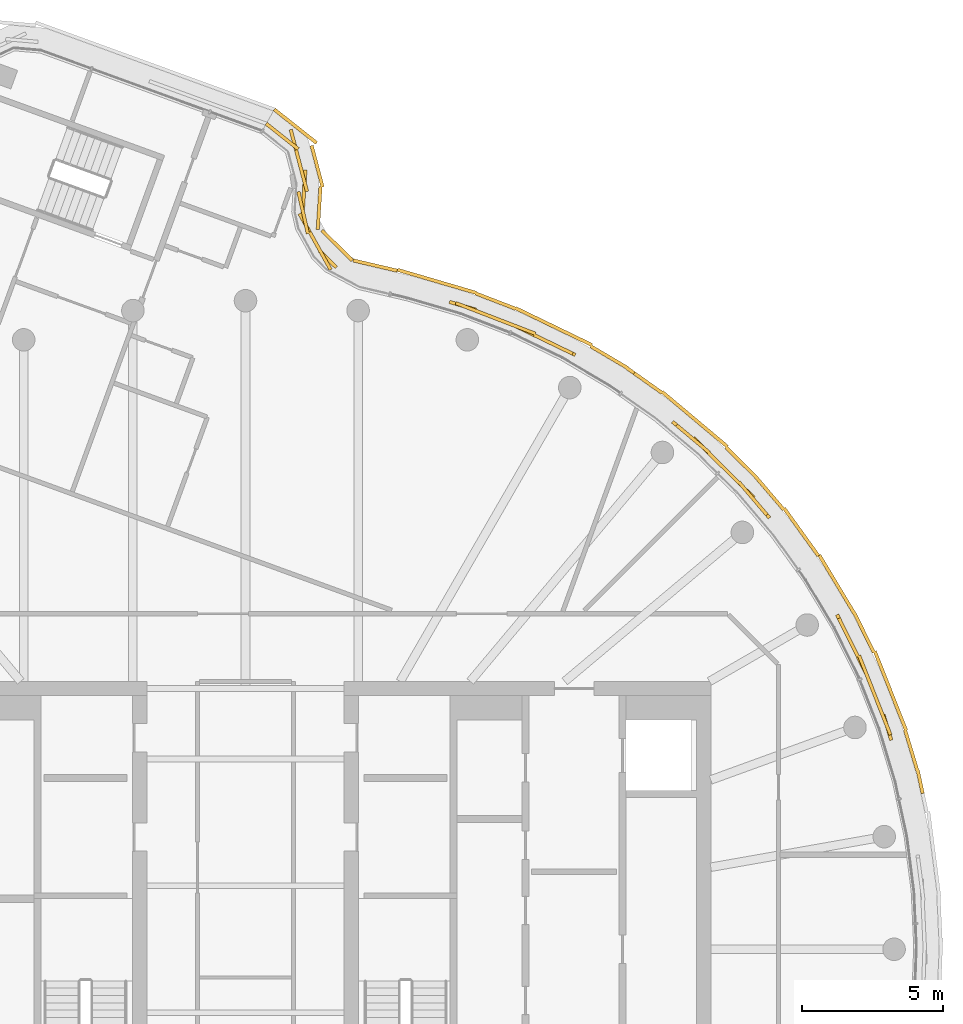
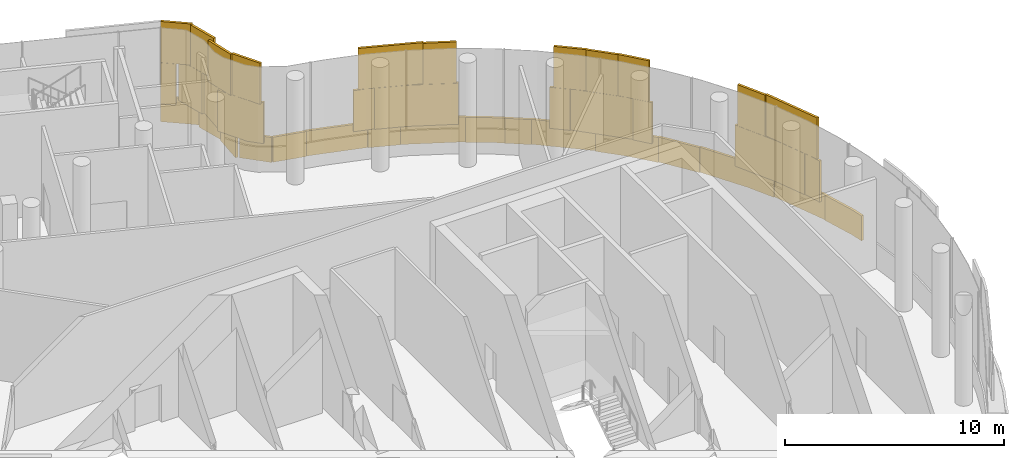
# One storey, part 18 of 18: 4 coverings.
"""IFC4 building model written with IfcOpenShell, lengths in metres."""

from ifc_helpers import new_model, si_unit, direction, frame, origin, origin_2d, place, context, subcontext, project, spatial, rectangle, extrude, material, layer, layer_set, type_object, element, save


model = new_model("IFC4")

# Units and contexts
model_context = context("Model", 3, precision=1e-05, world=origin(), true_north=direction((0.0, 1.0)))
body_context = subcontext(model_context, "Body", "Model", "MODEL_VIEW")
ifc_project = project(units=[si_unit("LENGTHUNIT", "METRE"), si_unit("AREAUNIT", "SQUARE_METRE"), si_unit("VOLUMEUNIT", "CUBIC_METRE"), si_unit("PLANEANGLEUNIT", "RADIAN"), si_unit("MASSUNIT", "GRAM", prefix="KILO")], contexts=[model_context])

# Site, building, storey
site_placement = place(None, origin())
site = spatial("IfcSite", under=ifc_project, at=site_placement, CompositionType="ELEMENT")
building_placement = place(site_placement, origin())
building = spatial("IfcBuilding", under=site, at=building_placement, Name="Tamarind Cross Interchange Tower", CompositionType="ELEMENT")
storey_placement = place(building_placement, frame((0.0, 0.0, 299.39990234375)))
storey = spatial("IfcBuildingStorey", under=building, at=storey_placement, Name="L74", CompositionType="ELEMENT", Elevation=299.39990234375)

# Coverings
ifc_material = material(Name="Terracotta", Category="masonry")
ifc_layer = layer(ifc_material, 0.1201171875)
ifc_layer_set = layer_set([ifc_layer], Name="Terracotta")
covering_type = type_object("IfcCoveringType", Name="Terracotta baguette screen unit", PredefinedType="MOLDING", material=ifc_layer_set)
covering_1_placement = place(storey_placement, origin())
element("IfcCovering", 1, at=covering_1_placement, inside=storey, type_object=covering_type, Name="SCR-L74-02-11", PredefinedType="MOLDING", context=body_context, shape_type="SweptSolid", body=[
    extrude(rectangle(XDim=0.952880859375, YDim=0.1201171875, at=origin_2d()), frame((22.760986328125, 7.87255859375, 1.404052734375), z_axis=(0.0, 0.0, 1.0), x_axis=(-0.289458243079, 0.957190642199, 0.0)), (0.0, 0.0, 1.0), 2.2919921875),
    extrude(rectangle(XDim=1.52001953125, YDim=0.1201171875, at=origin_2d()), frame((22.31591796875, 9.009765625, 1.404052734375), z_axis=(0.0, 0.0, 1.0), x_axis=(-0.367513773146, 0.930018078613, 0.0)), (0.0, 0.0, 1.0), 2.2919921875),
    extrude(rectangle(XDim=1.52001953125, YDim=0.1201171875, at=origin_2d()), frame((21.713134765625, 10.382080078125, 1.404052734375), z_axis=(0.0, 0.0, 1.0), x_axis=(-0.443058811505, 0.896492548518, 0.0)), (0.0, 0.0, 1.0), 2.2919921875),
    extrude(rectangle(XDim=0.90966796875, YDim=0.1201171875, at=origin_2d()), frame((21.181396484375, 11.457763671875, 1.404052734375), z_axis=(0.0, 0.0, 1.0), x_axis=(-0.443058811505, 0.896492548518, 0.0)), (0.0, 0.0, 1.0), 2.2919921875),
    extrude(rectangle(XDim=1.52001953125, YDim=0.1201171875, at=origin_2d()), frame((22.591552734375, 8.312255859375, 3.7041015625), z_axis=(0.0, 0.0, 1.0), x_axis=(-0.367513773146, 0.930018078613, 0.0)), (0.0, 0.0, 1.0), 2.2919921875),
    extrude(rectangle(XDim=1.52001953125, YDim=0.1201171875, at=origin_2d()), frame((22.040283203125, 9.707275390625, 3.7041015625), z_axis=(0.0, 0.0, 1.0), x_axis=(-0.367513773146, 0.930018078613, 0.0)), (0.0, 0.0, 1.0), 2.2919921875),
    extrude(rectangle(XDim=1.52001953125, YDim=0.1201171875, at=origin_2d()), frame((21.380859375, 11.054443359375, 3.7041015625), z_axis=(0.0, 0.0, 1.0), x_axis=(-0.443058811505, 0.896492548518, 0.0)), (0.0, 0.0, 1.0), 2.2919921875),
    extrude(rectangle(XDim=0.831298828125, YDim=0.1201171875, at=origin_2d()), frame((23.927490234375, 5.933349609375, 0.004150390625), z_axis=(0.0, 0.0, 1.0), x_axis=(-0.209425419705, 0.977824623121, 0.0)), (0.0, 0.0, 1.0), 1.39208984375),
    extrude(rectangle(XDim=1.52001953125, YDim=0.1201171875, at=origin_2d()), frame((23.611083984375, 7.044189453125, 0.004150390625), z_axis=(0.0, 0.0, 1.0), x_axis=(-0.289458243079, 0.957190642199, 0.0)), (0.0, 0.0, 1.0), 1.39208984375),
    extrude(rectangle(XDim=1.52001953125, YDim=0.1201171875, at=origin_2d()), frame((23.146728515625, 8.469482421875, 0.004150390625), z_axis=(0.0, 0.0, 1.0), x_axis=(-0.367513773146, 0.930018078613, 0.0)), (0.0, 0.0, 1.0), 1.39208984375),
    extrude(rectangle(XDim=1.52001953125, YDim=0.1201171875, at=origin_2d()), frame((22.595458984375, 9.864501953125, 0.004150390625), z_axis=(0.0, 0.0, 1.0), x_axis=(-0.367513773146, 0.930018078613, 0.0)), (0.0, 0.0, 1.0), 1.39208984375),
    extrude(rectangle(XDim=1.52001953125, YDim=0.1201171875, at=origin_2d()), frame((21.942138671875, 11.21435546875, 0.004150390625), z_axis=(0.0, 0.0, 1.0), x_axis=(-0.443058811505, 0.896492548518, 0.0)), (0.0, 0.0, 1.0), 1.39208984375),
    extrude(rectangle(XDim=1.52001953125, YDim=0.1201171875, at=origin_2d()), frame((21.218505859375, 12.52685546875, 0.004150390625), z_axis=(0.0, 0.0, 1.0), x_axis=(-0.515577308909, 0.856843065292, 0.0)), (0.0, 0.0, 1.0), 1.39208984375),
    extrude(rectangle(XDim=0.947021484375, YDim=0.1201171875, at=origin_2d()), frame((20.5927734375, 13.566650390625, 0.004150390625), z_axis=(0.0, 0.0, 1.0), x_axis=(-0.515577308909, 0.856843065292, 0.0)), (0.0, 0.0, 1.0), 1.39208984375),
])
covering_2_placement = place(storey_placement, origin())
element("IfcCovering", 2, at=covering_2_placement, inside=storey, type_object=covering_type, Name="SCR-L74-02-12", PredefinedType="MOLDING", context=body_context, shape_type="SweptSolid", body=[
    extrude(rectangle(XDim=0.91015625, YDim=0.1201171875, at=origin_2d()), frame((18.287109375, 15.643798828125, 1.404052734375), z_axis=(0.0, 0.0, 1.0), x_axis=(-0.64957723968, 0.760295606781, 0.0)), (0.0, 0.0, 1.0), 2.2919921875),
    extrude(rectangle(XDim=1.52001953125, YDim=0.1201171875, at=origin_2d()), frame((17.494140625, 16.5439453125, 1.404052734375), z_axis=(0.0, 0.0, 1.0), x_axis=(-0.710143317658, 0.704057148523, 0.0)), (0.0, 0.0, 1.0), 2.2919921875),
    extrude(rectangle(XDim=1.52001953125, YDim=0.1201171875, at=origin_2d()), frame((16.428955078125, 17.599853515625, 1.404052734375), z_axis=(0.0, 0.0, 1.0), x_axis=(-0.710143317658, 0.704057148523, 0.0)), (0.0, 0.0, 1.0), 2.2919921875),
    extrude(rectangle(XDim=0.953125, YDim=0.1201171875, at=origin_2d()), frame((15.508544921875, 18.40185546875, 1.404052734375), z_axis=(0.0, 0.0, 1.0), x_axis=(-0.765858396687, 0.643009266048, 0.0)), (0.0, 0.0, 1.0), 2.2919921875),
    extrude(rectangle(XDim=1.52001953125, YDim=0.1201171875, at=origin_2d()), frame((17.99462890625, 15.986083984375, 3.7041015625), z_axis=(0.0, 0.0, 1.0), x_axis=(-0.64957723968, 0.760295606781, 0.0)), (0.0, 0.0, 1.0), 2.2919921875),
    extrude(rectangle(XDim=1.52001953125, YDim=0.1201171875, at=origin_2d()), frame((16.961669921875, 17.07177734375, 3.7041015625), z_axis=(0.0, 0.0, 1.0), x_axis=(-0.710143317658, 0.704057148523, 0.0)), (0.0, 0.0, 1.0), 2.2919921875),
    extrude(rectangle(XDim=1.52001953125, YDim=0.1201171875, at=origin_2d()), frame((15.86962890625, 18.0986328125, 3.7041015625), z_axis=(0.0, 0.0, 1.0), x_axis=(-0.765858396687, 0.643009266048, 0.0)), (0.0, 0.0, 1.0), 2.2919921875),
    extrude(rectangle(XDim=0.572998046875, YDim=0.1201171875, at=origin_2d()), frame((20.1494140625, 14.183837890625, 0.004150390625), z_axis=(0.0, 0.0, 1.0), x_axis=(-0.584573890505, 0.811340475102, 0.0)), (0.0, 0.0, 1.0), 1.39208984375),
    extrude(rectangle(XDim=1.52001953125, YDim=0.1201171875, at=origin_2d()), frame((19.54931640625, 15.0166015625, 0.004150390625), z_axis=(0.0, 0.0, 1.0), x_axis=(-0.584573890505, 0.811340475102, 0.0)), (0.0, 0.0, 1.0), 1.39208984375),
    extrude(rectangle(XDim=1.52001953125, YDim=0.1201171875, at=origin_2d()), frame((18.592041015625, 16.17041015625, 0.004150390625), z_axis=(0.0, 0.0, 1.0), x_axis=(-0.64957723968, 0.760295606781, 0.0)), (0.0, 0.0, 1.0), 1.39208984375),
    extrude(rectangle(XDim=1.52001953125, YDim=0.1201171875, at=origin_2d()), frame((17.575439453125, 17.271728515625, 0.004150390625), z_axis=(0.0, 0.0, 1.0), x_axis=(-0.710143317658, 0.704057148523, 0.0)), (0.0, 0.0, 1.0), 1.39208984375),
    extrude(rectangle(XDim=1.52001953125, YDim=0.1201171875, at=origin_2d()), frame((16.501220703125, 18.31787109375, 0.004150390625), z_axis=(0.0, 0.0, 1.0), x_axis=(-0.765858396687, 0.643009266048, 0.0)), (0.0, 0.0, 1.0), 1.39208984375),
    extrude(rectangle(XDim=1.52001953125, YDim=0.1201171875, at=origin_2d()), frame((15.3525390625, 19.282470703125, 0.004150390625), z_axis=(0.0, 0.0, 1.0), x_axis=(-0.765858396687, 0.643009266048, 0.0)), (0.0, 0.0, 1.0), 1.39208984375),
    extrude(rectangle(XDim=1.2060546875, YDim=0.1201171875, at=origin_2d()), frame((14.275146484375, 20.0830078125, 0.004150390625), z_axis=(0.0, 0.0, 1.0), x_axis=(-0.816341886298, 0.577568978284, 0.0)), (0.0, 0.0, 1.0), 1.39208984375),
])
covering_3_placement = place(storey_placement, origin())
element("IfcCovering", 3, at=covering_3_placement, inside=storey, type_object=covering_type, Name="SCR-L74-02-13", PredefinedType="MOLDING", context=body_context, shape_type="SweptSolid", body=[
    extrude(rectangle(XDim=0.866943359375, YDim=0.1201171875, at=origin_2d()), frame((11.3017578125, 21.266357421875, 1.404052734375), z_axis=(0.0, 0.0, 1.0), x_axis=(-0.900272776334, 0.435326231914, 0.0)), (0.0, 0.0, 1.0), 2.2919921875),
    extrude(rectangle(XDim=1.52001953125, YDim=0.1201171875, at=origin_2d()), frame((10.240966796875, 21.779296875, 1.404052734375), z_axis=(0.0, 0.0, 1.0), x_axis=(-0.900272776334, 0.435326231914, 0.0)), (0.0, 0.0, 1.0), 2.2919921875),
    extrude(rectangle(XDim=1.52001953125, YDim=0.1201171875, at=origin_2d()), frame((8.865234375, 22.374267578125, 1.404052734375), z_axis=(0.0, 0.0, 1.0), x_axis=(-0.933146843667, 0.359495435512, 0.0)), (0.0, 0.0, 1.0), 2.2919921875),
    extrude(rectangle(XDim=0.9892578125, YDim=0.1201171875, at=origin_2d()), frame((7.708251953125, 22.818603515625, 1.404052734375), z_axis=(0.0, 0.0, 1.0), x_axis=(-0.95964657186, 0.281208920763, 0.0)), (0.0, 0.0, 1.0), 2.2919921875),
    extrude(rectangle(XDim=1.52001953125, YDim=0.1201171875, at=origin_2d()), frame((10.916015625, 21.452880859375, 3.7041015625), z_axis=(0.0, 0.0, 1.0), x_axis=(-0.900272776334, 0.435326231914, 0.0)), (0.0, 0.0, 1.0), 2.2919921875),
    extrude(rectangle(XDim=1.52001953125, YDim=0.1201171875, at=origin_2d()), frame((9.565185546875, 22.1044921875, 3.7041015625), z_axis=(0.0, 0.0, 1.0), x_axis=(-0.933146843667, 0.359495435512, 0.0)), (0.0, 0.0, 1.0), 2.2919921875),
    extrude(rectangle(XDim=1.52001953125, YDim=0.1201171875, at=origin_2d()), frame((8.16552734375, 22.643798828125, 3.7041015625), z_axis=(0.0, 0.0, 1.0), x_axis=(-0.933146843667, 0.359495435512, 0.0)), (0.0, 0.0, 1.0), 2.2919921875),
    extrude(rectangle(XDim=0.31396484375, YDim=0.1201171875, at=origin_2d()), frame((13.65478515625, 20.52197265625, 0.004150390625), z_axis=(0.0, 0.0, 1.0), x_axis=(-0.816341886298, 0.577568978284, 0.0)), (0.0, 0.0, 1.0), 1.39208984375),
    extrude(rectangle(XDim=1.52001953125, YDim=0.1201171875, at=origin_2d()), frame((12.896484375, 20.99951171875, 0.004150390625), z_axis=(0.0, 0.0, 1.0), x_axis=(-0.861248933065, 0.508183308752, 0.0)), (0.0, 0.0, 1.0), 1.39208984375),
    extrude(rectangle(XDim=1.52001953125, YDim=0.1201171875, at=origin_2d()), frame((11.602783203125, 21.75830078125, 0.004150390625), z_axis=(0.0, 0.0, 1.0), x_axis=(-0.900272776334, 0.435326231914, 0.0)), (0.0, 0.0, 1.0), 1.39208984375),
    extrude(rectangle(XDim=1.52001953125, YDim=0.1201171875, at=origin_2d()), frame((10.25244140625, 22.411376953125, 0.004150390625), z_axis=(0.0, 0.0, 1.0), x_axis=(-0.900272776334, 0.435326231914, 0.0)), (0.0, 0.0, 1.0), 1.39208984375),
    extrude(rectangle(XDim=1.52001953125, YDim=0.1201171875, at=origin_2d()), frame((8.868896484375, 22.988037109375, 0.004150390625), z_axis=(0.0, 0.0, 1.0), x_axis=(-0.933146843667, 0.359495435512, 0.0)), (0.0, 0.0, 1.0), 1.39208984375),
    extrude(rectangle(XDim=1.52001953125, YDim=0.1201171875, at=origin_2d()), frame((7.45654296875, 23.490478515625, 0.004150390625), z_axis=(0.0, 0.0, 1.0), x_axis=(-0.95964657186, 0.281208920763, 0.0)), (0.0, 0.0, 1.0), 1.39208984375),
    extrude(rectangle(XDim=1.413818359375, YDim=0.1201171875, at=origin_2d()), frame((6.068115234375, 23.8974609375, 0.004150390625), z_axis=(0.0, 0.0, 1.0), x_axis=(-0.95964657186, 0.281208920763, 0.0)), (0.0, 0.0, 1.0), 1.39208984375),
])
covering_4_placement = place(storey_placement, origin())
element("IfcCovering", 4, at=covering_4_placement, inside=storey, type_object=covering_type, Name="SCR-L74-02-14", PredefinedType="MOLDING", context=body_context, shape_type="SweptSolid", body=[
    extrude(rectangle(XDim=0.830810546875, YDim=0.1201171875, at=origin_2d()), frame((2.9287109375, 24.46923828125, 1.404052734375), z_axis=(0.0, 0.0, 1.0), x_axis=(-0.712505411317, 0.70166661517, 0.0)), (0.0, 0.0, 1.0), 2.2919921875),
    extrude(rectangle(XDim=1.52001953125, YDim=0.1201171875, at=origin_2d()), frame((2.284423828125, 25.42236328125, 1.404052734375), z_axis=(0.0, 0.0, 1.0), x_axis=(-0.486026493314, 0.873944075898, 0.0)), (0.0, 0.0, 1.0), 2.2919921875),
    extrude(rectangle(XDim=1.52001953125, YDim=0.1201171875, at=origin_2d()), frame((2.07470703125, 26.872314453125, 1.404052734375), z_axis=(0.0, 0.0, 1.0), x_axis=(0.063470145759, 0.997983737642, 0.0)), (0.0, 0.0, 1.0), 2.2919921875),
    extrude(rectangle(XDim=1.52001953125, YDim=0.1201171875, at=origin_2d()), frame((1.796630859375, 28.3330078125, 1.404052734375), z_axis=(0.0, 0.0, 1.0), x_axis=(-0.254958681359, 0.966951948547, 0.0)), (0.0, 0.0, 1.0), 2.2919921875),
    extrude(rectangle(XDim=0.70361328125, YDim=0.1201171875, at=origin_2d()), frame((1.009033203125, 29.061279296875, 1.404052734375), z_axis=(0.0, 0.0, 1.0), x_axis=(-0.783600709861, 0.621264780513, 0.0)), (0.0, 0.0, 1.0), 2.2919921875),
    extrude(rectangle(XDim=1.52001953125, YDim=0.1201171875, at=origin_2d()), frame((2.64892578125, 24.766845703125, 3.7041015625), z_axis=(0.0, 0.0, 1.0), x_axis=(-0.486026493314, 0.873944075898, 0.0)), (0.0, 0.0, 1.0), 2.2919921875),
    extrude(rectangle(XDim=1.52001953125, YDim=0.1201171875, at=origin_2d()), frame((2.0439453125, 26.125244140625, 3.7041015625), z_axis=(0.0, 0.0, 1.0), x_axis=(-0.220192929351, 0.975456341342, 0.0)), (0.0, 0.0, 1.0), 2.2919921875),
    extrude(rectangle(XDim=1.52001953125, YDim=0.1201171875, at=origin_2d()), frame((1.98779296875, 27.607666015625, 3.7041015625), z_axis=(0.0, 0.0, 1.0), x_axis=(-0.254958681359, 0.966951948547, 0.0)), (0.0, 0.0, 1.0), 2.2919921875),
    extrude(rectangle(XDim=1.45361328125, YDim=0.1201171875, at=origin_2d()), frame((1.302734375, 28.828125, 3.7041015625), z_axis=(0.0, 0.0, 1.0), x_axis=(-0.783600709861, 0.621264780513, 0.0)), (0.0, 0.0, 1.0), 2.2919921875),
    extrude(rectangle(XDim=0.106201171875, YDim=0.1201171875, at=origin_2d()), frame((5.329833984375, 24.07666015625, 0.004150390625), z_axis=(0.0, 0.0, 1.0), x_axis=(-0.973671785319, 0.227954500887, 0.0)), (0.0, 0.0, 1.0), 1.39208984375),
    extrude(rectangle(XDim=1.52001953125, YDim=0.1201171875, at=origin_2d()), frame((4.5576171875, 24.25732421875, 0.004150390625), z_axis=(0.0, 0.0, 1.0), x_axis=(-0.973671785319, 0.227954500887, 0.0)), (0.0, 0.0, 1.0), 1.39208984375),
    extrude(rectangle(XDim=1.52001953125, YDim=0.1201171875, at=origin_2d()), frame((3.24951171875, 24.958984375, 0.004150390625), z_axis=(0.0, 0.0, 1.0), x_axis=(-0.712505411317, 0.70166661517, 0.0)), (0.0, 0.0, 1.0), 1.39208984375),
    extrude(rectangle(XDim=1.52001953125, YDim=0.1201171875, at=origin_2d()), frame((2.612548828125, 26.28662109375, 0.004150390625), z_axis=(0.0, 0.0, 1.0), x_axis=(0.063470145759, 0.997983737642, 0.0)), (0.0, 0.0, 1.0), 1.39208984375),
    extrude(rectangle(XDim=1.52001953125, YDim=0.1201171875, at=origin_2d()), frame((2.539306640625, 27.767333984375, 0.004150390625), z_axis=(0.0, 0.0, 1.0), x_axis=(-0.254958681359, 0.966951948547, 0.0)), (0.0, 0.0, 1.0), 1.39208984375),
    extrude(rectangle(XDim=1.52001953125, YDim=0.1201171875, at=origin_2d()), frame((1.926025390625, 29.066650390625, 0.004150390625), z_axis=(0.0, 0.0, 1.0), x_axis=(-0.783600709861, 0.621264780513, 0.0)), (0.0, 0.0, 1.0), 1.39208984375),
    extrude(rectangle(XDim=0.4150390625, YDim=0.1201171875, at=origin_2d()), frame((1.18359375, 29.6552734375, 0.004150390625), z_axis=(0.0, 0.0, 1.0), x_axis=(-0.783600709861, 0.621264780513, 0.0)), (0.0, 0.0, 1.0), 1.39208984375),
])

save(model, "model.ifc")
